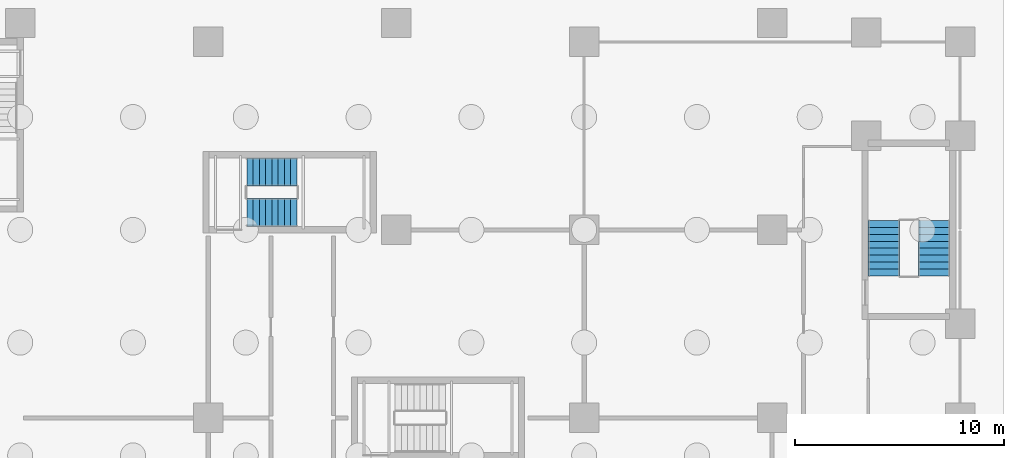
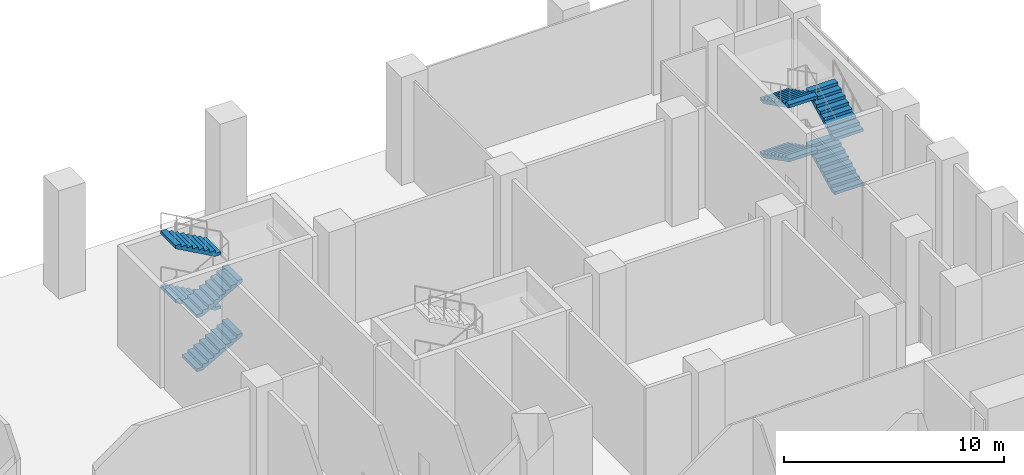
# One storey, part 9 of 12: 8 stair flights, 2 elements without a shape of their own.
"""IFC4 building model written with IfcOpenShell, lengths in metres."""

import ifcopenshell
import ifcopenshell.guid

model = None  # the IFC model being written
_history = None  # IfcOwnerHistory: only IFC2X3 demands one
_inside = {}  # id of a spatial element -> (the spatial element, [elements in it])
_under = {}  # id of a project, library or spatial element -> (it, [spatial elements below it])
_declared = {}  # id of a project -> (the project, [libraries it declares])
_typed = {}  # id of a type object -> (the type object, [elements of that type])
_made_of = {}  # id of a material, layer set ... -> (it, [elements and type objects made of it])


def new_model(schema):
    """Start an empty IFC model of exactly this schema.

    Asked for "IFC4X3", IfcOpenShell would pick the latest addendum, in which some entities
    have other attributes; the version numbers below select the first issue.
    IFC2X3 requires an IfcOwnerHistory on every rooted entity: one is made here for all.
    """
    global model, _history
    if schema == "IFC4X3":
        model = ifcopenshell.file(schema_version=(4, 3, 0, 0))
    else:
        model = ifcopenshell.file(schema=schema)
    _inside.clear()
    _under.clear()
    _declared.clear()
    _typed.clear()
    _made_of.clear()
    _history = None
    if model.schema == "IFC2X3":
        org = make("IfcOrganization", Name="unknown")
        user = make(
            "IfcPersonAndOrganization",
            ThePerson=make("IfcPerson", FamilyName="unknown"),
            TheOrganization=org,
        )
        app = make(
            "IfcApplication",
            ApplicationDeveloper=org,
            Version="unknown",
            ApplicationFullName="unknown",
            ApplicationIdentifier="unknown",
        )
        _history = make(
            "IfcOwnerHistory",
            OwningUser=user,
            OwningApplication=app,
            ChangeAction="ADDED",
            CreationDate=0,
        )
    return model


def make(cls, **values):
    """One entity of the class cls with the attributes given. An attribute that is None is left unset."""
    return model.create_entity(
        cls, **{name: value for name, value in values.items() if value is not None}
    )


def rooted(cls, **values):
    """An entity with a GlobalId (a new one), such as an element, a storey or a relation."""
    return make(cls, GlobalId=ifcopenshell.guid.new(), OwnerHistory=_history, **values)


def si_unit(unit_type, name, prefix=None):
    """IfcSIUnit, for example si_unit("LENGTHUNIT", "METRE", prefix="MILLI")."""
    return make("IfcSIUnit", UnitType=unit_type, Prefix=prefix, Name=name)


def assignment(units):
    """IfcUnitAssignment: the units of a project."""
    return None if units is None else make("IfcUnitAssignment", Units=units)


def point(xyz):
    """IfcCartesianPoint."""
    return None if xyz is None else make("IfcCartesianPoint", Coordinates=xyz)


def direction(xyz):
    """IfcDirection."""
    return None if xyz is None else make("IfcDirection", DirectionRatios=xyz)


def frame(location, z_axis=None, x_axis=None):
    """IfcAxis2Placement3D, a coordinate frame: its origin and axes. An axis left out is left unset."""
    return make(
        "IfcAxis2Placement3D",
        Location=point(location),
        Axis=direction(z_axis),
        RefDirection=direction(x_axis),
    )


def origin():
    """The frame at (0, 0, 0) with its axes left unset."""
    return frame((0.0, 0.0, 0.0))


def place(relative_to, where):
    """IfcLocalPlacement: puts the frame where relative to a parent placement (None: the world)."""
    return make(
        "IfcLocalPlacement", PlacementRelTo=relative_to, RelativePlacement=where
    )


def context(
    kind, dimensions, precision=None, world=None, true_north=None, identifier=None
):
    """IfcGeometricRepresentationContext, for example the 3D "Model" context."""
    return make(
        "IfcGeometricRepresentationContext",
        ContextIdentifier=identifier,
        ContextType=kind,
        CoordinateSpaceDimension=dimensions,
        Precision=precision,
        WorldCoordinateSystem=world,
        TrueNorth=true_north,
    )


def subcontext(parent, identifier, kind, view, scale=None):
    """IfcGeometricRepresentationSubContext, for example "Body" below "Model"."""
    return make(
        "IfcGeometricRepresentationSubContext",
        ContextIdentifier=identifier,
        ContextType=kind,
        ParentContext=parent,
        TargetScale=scale,
        TargetView=view,
    )


def project(units=None, contexts=None):
    """IfcProject with its units and contexts."""
    return rooted(
        "IfcProject",
        Name="project",
        RepresentationContexts=contexts,
        UnitsInContext=assignment(units),
    )


def spatial(cls, under=None, at=None, **own):
    """A site, building, storey or space (cls), placed at a placement, below another one or the project."""
    s = rooted(cls, ObjectPlacement=at, **own)
    if under is not None:
        _under.setdefault(under.id(), (under, []))[1].append(s)
    return s


def polyline(points):
    """IfcPolyline through the points."""
    return make("IfcPolyline", Points=[point(p) for p in points])


def outline(outer, holes=None, kind="AREA"):
    """IfcArbitraryClosedProfileDef: a profile drawn as a closed curve; with holes, ...WithVoids."""
    if holes is None:
        return make("IfcArbitraryClosedProfileDef", ProfileType=kind, OuterCurve=outer)
    return make(
        "IfcArbitraryProfileDefWithVoids",
        ProfileType=kind,
        OuterCurve=outer,
        InnerCurves=holes,
    )


def extrude(swept, where, along, depth):
    """IfcExtrudedAreaSolid: the profile swept, set in the frame where, extruded along a direction by depth."""
    return make(
        "IfcExtrudedAreaSolid",
        SweptArea=swept,
        Position=where,
        ExtrudedDirection=direction(along),
        Depth=depth,
    )


def shape(context_of_items, identifier, shape_type, items):
    """IfcShapeRepresentation: the items that make up one representation, for example the "Body"."""
    return make(
        "IfcShapeRepresentation",
        ContextOfItems=context_of_items,
        RepresentationIdentifier=identifier,
        RepresentationType=shape_type,
        Items=items,
    )


def material(Name=None, Category=None):
    """IfcMaterial."""
    return make("IfcMaterial", Name=Name, Category=Category)


def made_of(thing, what):
    """Note that an element or type object is made of a material, layer set ...; save() writes the relation."""
    if what is not None:
        _made_of.setdefault(what.id(), (what, []))[1].append(thing)
    return thing


def type_object(cls, material=None, **own):
    """A type object (cls), such as IfcWallType, which elements share."""
    return made_of(rooted(cls, **own), material)


def element(
    cls,
    number,
    at=None,
    inside=None,
    cuts=None,
    type_object=None,
    material=None,
    context=None,
    identifier="Body",
    shape_type=None,
    held_by="IfcProductDefinitionShape",
    body=None,
    shapes=None,
    **own,
):
    """One element of the class cls, such as IfcWall. Its Tag is "e" and its number.

    at: its placement. inside: the storey or other place that contains it. cuts: it is an
    opening in that element (IfcRelVoidsElement). A single representation is given by context,
    identifier, shape_type and body (its items); several are given by shapes. held_by: the class
    of the entity that holds the representations. save() writes the other relations.
    """
    e = rooted(cls, Tag="e%d" % number, ObjectPlacement=at, **own)
    if body is not None:
        shapes = [shape(context, identifier, shape_type, body)]
    if shapes is not None:
        e.Representation = make(held_by, Representations=shapes)
    if inside is not None:
        _inside.setdefault(inside.id(), (inside, []))[1].append(e)
    if cuts is not None:
        rooted(
            "IfcRelVoidsElement", RelatingBuildingElement=cuts, RelatedOpeningElement=e
        )
    if type_object is not None:
        _typed.setdefault(type_object.id(), (type_object, []))[1].append(e)
    return made_of(e, material)


def aggregate(whole, parts):
    """IfcRelAggregates: a whole, such as a stair, and the parts it consists of."""
    return rooted("IfcRelAggregates", RelatingObject=whole, RelatedObjects=parts)


def save(model, path):
    """Write the relations noted so far, then the file.

    IfcRelAggregates (storeys below a building ...), IfcRelContainedInSpatialStructure (elements
    in a storey), IfcRelDefinesByType, IfcRelAssociatesMaterial and IfcRelDeclares: one each for
    every whole, place, type object, material and project.
    """
    for whole, parts in _under.values():
        aggregate(whole, parts)
    for where, things in _inside.values():
        rooted(
            "IfcRelContainedInSpatialStructure",
            RelatedElements=things,
            RelatingStructure=where,
        )
    for kind, things in _typed.values():
        rooted("IfcRelDefinesByType", RelatedObjects=things, RelatingType=kind)
    for what, things in _made_of.values():
        rooted("IfcRelAssociatesMaterial", RelatedObjects=things, RelatingMaterial=what)
    for by, libraries in _declared.values():
        rooted("IfcRelDeclares", RelatingContext=by, RelatedDefinitions=libraries)
    model.write(path)


model = new_model("IFC4")

# Units and contexts
model_context = context("Model", 3, precision=1e-05, world=origin(), true_north=direction((0.0, 1.0)))
body_context = subcontext(model_context, "Body", "Model", "MODEL_VIEW")
ifc_project = project(units=[si_unit("LENGTHUNIT", "METRE"), si_unit("AREAUNIT", "SQUARE_METRE"), si_unit("VOLUMEUNIT", "CUBIC_METRE"), si_unit("PLANEANGLEUNIT", "RADIAN"), si_unit("MASSUNIT", "GRAM", prefix="KILO")], contexts=[model_context])

# Site, building, storey
site_placement = place(None, origin())
site = spatial("IfcSite", under=ifc_project, at=site_placement, CompositionType="ELEMENT")
building_placement = place(site_placement, origin())
building = spatial("IfcBuilding", under=site, at=building_placement, Name="Brondeck Convention Tower", CompositionType="ELEMENT")
storey_placement = place(building_placement, frame((0.0, 0.0, -6.0)))
storey = spatial("IfcBuildingStorey", under=building, at=storey_placement, Name="B1", CompositionType="ELEMENT", Elevation=-6.0)

# Stair, stair flights
ifc_material = material(Name="Precast concrete C50/60", Category="concrete")
stair_type_1 = type_object("IfcStairType", Name="Core stair 36 risers 166.67 mm riser 300 mm going 1350 wide", PredefinedType="HALF_TURN_STAIR", material=ifc_material)
stair_1_placement = place(storey_placement, origin())
stair_1 = element("IfcStair", 1, at=stair_1_placement, inside=storey, type_object=stair_type_1, Name="ST-AE B1 stair", PredefinedType="HALF_TURN_STAIR")
stair_flight_type_1 = type_object("IfcStairFlightType", Name="Core stair flight 36 risers 166.67 mm riser 300 mm going 1350 wide", PredefinedType="STRAIGHT", material=ifc_material)
stair_flight_1_placement = place(storey_placement, frame((37.85009765625, 54.824951171875, 0.0), z_axis=(0.0, 0.0, 1.0), x_axis=(1.0, 0.0, 0.0)))
stair_flight_1 = element("IfcStairFlight", 2, at=stair_flight_1_placement, type_object=stair_flight_type_1, Name="ST-AE flight 1", NumberOfRisers=9, NumberOfTreads=8, PredefinedType="STRAIGHT", RiserHeight=0.166666667, TreadLength=0.3, context=body_context, shape_type="SweptSolid", body=[
    extrude(outline(polyline([(0.0, 0.0), (0.0, 0.166748046875), (0.300048828125, 0.166748046875), (0.300048828125, 0.333251953125), (0.60009765625, 0.333251953125), (0.60009765625, 0.5), (0.89990234375, 0.5), (0.89990234375, 0.666748046875), (1.199951171875, 0.666748046875), (1.199951171875, 0.833251953125), (1.5, 0.833251953125), (1.5, 1.0), (1.800048828125, 1.0), (1.800048828125, 1.166748046875), (2.10009765625, 1.166748046875), (2.10009765625, 1.333251953125), (2.39990234375, 1.333251953125), (2.39990234375, 1.5), (2.39990234375, 1.161865234375), (0.30859375, 0.0), (0.0, 0.0)])), frame((0.0, 0.675048828125, 0.0), z_axis=(0.0, -1.0, 0.0), x_axis=(1.0, 0.0, 0.0)), (0.0, 0.0, 1.0), 1.35009765625),
])
stair_flight_2_placement = place(storey_placement, frame((40.25, 56.77490234375, 1.5), z_axis=(0.0, 0.0, 1.0), x_axis=(-1.0, 0.0, 0.0)))
stair_flight_2 = element("IfcStairFlight", 3, at=stair_flight_2_placement, type_object=stair_flight_type_1, Name="ST-AE flight 2", NumberOfRisers=9, NumberOfTreads=8, PredefinedType="STRAIGHT", RiserHeight=0.166666667, TreadLength=0.3, context=body_context, shape_type="SweptSolid", body=[
    extrude(outline(polyline([(0.0, 0.0), (0.0, 0.166748046875), (0.300048828125, 0.166748046875), (0.300048828125, 0.333251953125), (0.60009765625, 0.333251953125), (0.60009765625, 0.5), (0.89990234375, 0.5), (0.89990234375, 0.666748046875), (1.199951171875, 0.666748046875), (1.199951171875, 0.833251953125), (1.5, 0.833251953125), (1.5, 1.0), (1.800048828125, 1.0), (1.800048828125, 1.166748046875), (2.10009765625, 1.166748046875), (2.10009765625, 1.333251953125), (2.39990234375, 1.333251953125), (2.39990234375, 1.5), (2.39990234375, 1.161865234375), (0.30859375, 0.0), (0.0, 0.0)])), frame((0.0, 0.675048828125, 0.0), z_axis=(0.0, -1.0, 0.0), x_axis=(1.0, 0.0, 0.0)), (0.0, 0.0, 1.0), 1.35009765625),
])
stair_flight_3_placement = place(storey_placement, frame((37.85009765625, 54.824951171875, 3.0), z_axis=(0.0, 0.0, 1.0), x_axis=(1.0, 0.0, 0.0)))
stair_flight_3 = element("IfcStairFlight", 4, at=stair_flight_3_placement, type_object=stair_flight_type_1, Name="ST-AE flight 3", NumberOfRisers=9, NumberOfTreads=8, PredefinedType="STRAIGHT", RiserHeight=0.166666667, TreadLength=0.3, context=body_context, shape_type="SweptSolid", body=[
    extrude(outline(polyline([(0.0, 0.0), (0.0, 0.166748046875), (0.300048828125, 0.166748046875), (0.300048828125, 0.333251953125), (0.60009765625, 0.333251953125), (0.60009765625, 0.5), (0.89990234375, 0.5), (0.89990234375, 0.666748046875), (1.199951171875, 0.666748046875), (1.199951171875, 0.833251953125), (1.5, 0.833251953125), (1.5, 1.0), (1.800048828125, 1.0), (1.800048828125, 1.166748046875), (2.10009765625, 1.166748046875), (2.10009765625, 1.333251953125), (2.39990234375, 1.333251953125), (2.39990234375, 1.5), (2.39990234375, 1.161865234375), (0.30859375, 0.0), (0.0, 0.0)])), frame((0.0, 0.675048828125, 0.0), z_axis=(0.0, -1.0, 0.0), x_axis=(1.0, 0.0, 0.0)), (0.0, 0.0, 1.0), 1.35009765625),
])
stair_flight_4_placement = place(storey_placement, frame((40.25, 56.77490234375, 4.5), z_axis=(0.0, 0.0, 1.0), x_axis=(-1.0, 0.0, 0.0)))
stair_flight_4 = element("IfcStairFlight", 5, at=stair_flight_4_placement, type_object=stair_flight_type_1, Name="ST-AE flight 4", NumberOfRisers=9, NumberOfTreads=8, PredefinedType="STRAIGHT", RiserHeight=0.166666667, TreadLength=0.3, context=body_context, shape_type="SweptSolid", body=[
    extrude(outline(polyline([(0.0, 0.0), (0.0, 0.166748046875), (0.300048828125, 0.166748046875), (0.300048828125, 0.333251953125), (0.60009765625, 0.333251953125), (0.60009765625, 0.5), (0.89990234375, 0.5), (0.89990234375, 0.666748046875), (1.199951171875, 0.666748046875), (1.199951171875, 0.833251953125), (1.5, 0.833251953125), (1.5, 1.0), (1.800048828125, 1.0), (1.800048828125, 1.166748046875), (2.10009765625, 1.166748046875), (2.10009765625, 1.333251953125), (2.39990234375, 1.333251953125), (2.39990234375, 1.5), (2.39990234375, 1.161865234375), (0.30859375, 0.0), (0.0, 0.0)])), frame((0.0, 0.675048828125, 0.0), z_axis=(0.0, -1.0, 0.0), x_axis=(1.0, 0.0, 0.0)), (0.0, 0.0, 1.0), 1.35009765625),
])
aggregate(stair_1, [stair_flight_1, stair_flight_2, stair_flight_3, stair_flight_4])

stair_type_2 = type_object("IfcStairType", Name="Core stair 36 risers 166.67 mm riser 330 mm going 1500 wide", PredefinedType="HALF_TURN_STAIR", material=ifc_material)
stair_2_placement = place(storey_placement, origin())
stair_2 = element("IfcStair", 6, at=stair_2_placement, inside=storey, type_object=stair_type_2, Name="PS-1 B1 stair", PredefinedType="HALF_TURN_STAIR")
stair_flight_type_2 = type_object("IfcStairFlightType", Name="Core stair flight 36 risers 166.67 mm riser 330 mm going 1500 wide", PredefinedType="STRAIGHT", material=ifc_material)
stair_flight_5_placement = place(storey_placement, frame((70.75, 51.800048828125, 0.0), z_axis=(0.0, 0.0, 1.0), x_axis=(0.0, 1.0, 0.0)))
stair_flight_5 = element("IfcStairFlight", 7, at=stair_flight_5_placement, type_object=stair_flight_type_2, Name="PS-1 flight 1", NumberOfRisers=9, NumberOfTreads=8, PredefinedType="STRAIGHT", RiserHeight=0.166666667, TreadLength=0.33, context=body_context, shape_type="SweptSolid", body=[
    extrude(outline(polyline([(0.0, 0.0), (0.0, 0.166748046875), (0.330078125, 0.166748046875), (0.330078125, 0.333251953125), (0.659912109375, 0.333251953125), (0.659912109375, 0.5), (0.989990234375, 0.5), (0.989990234375, 0.666748046875), (1.320068359375, 0.666748046875), (1.320068359375, 0.833251953125), (1.64990234375, 0.833251953125), (1.64990234375, 1.0), (1.97998046875, 1.0), (1.97998046875, 1.166748046875), (2.31005859375, 1.166748046875), (2.31005859375, 1.333251953125), (2.639892578125, 1.333251953125), (2.639892578125, 1.5), (2.639892578125, 1.165283203125), (0.33251953125, 0.0), (0.0, 0.0)])), frame((0.0, 0.75, 0.0), z_axis=(0.0, -1.0, 0.0), x_axis=(1.0, 0.0, 0.0)), (0.0, 0.0, 1.0), 1.5),
])
stair_flight_6_placement = place(storey_placement, frame((68.35009765625, 54.43994140625, 1.5), z_axis=(0.0, 0.0, 1.0), x_axis=(0.0, -1.0, 0.0)))
stair_flight_6 = element("IfcStairFlight", 8, at=stair_flight_6_placement, type_object=stair_flight_type_2, Name="PS-1 flight 2", NumberOfRisers=9, NumberOfTreads=8, PredefinedType="STRAIGHT", RiserHeight=0.166666667, TreadLength=0.33, context=body_context, shape_type="SweptSolid", body=[
    extrude(outline(polyline([(0.0, 0.0), (0.0, 0.166748046875), (0.330078125, 0.166748046875), (0.330078125, 0.333251953125), (0.659912109375, 0.333251953125), (0.659912109375, 0.5), (0.989990234375, 0.5), (0.989990234375, 0.666748046875), (1.320068359375, 0.666748046875), (1.320068359375, 0.833251953125), (1.64990234375, 0.833251953125), (1.64990234375, 1.0), (1.97998046875, 1.0), (1.97998046875, 1.166748046875), (2.31005859375, 1.166748046875), (2.31005859375, 1.333251953125), (2.639892578125, 1.333251953125), (2.639892578125, 1.5), (2.639892578125, 1.165283203125), (0.33251953125, 0.0), (0.0, 0.0)])), frame((0.0, 0.75, 0.0), z_axis=(0.0, -1.0, 0.0), x_axis=(1.0, 0.0, 0.0)), (0.0, 0.0, 1.0), 1.5),
])
stair_flight_7_placement = place(storey_placement, frame((70.75, 51.800048828125, 3.0), z_axis=(0.0, 0.0, 1.0), x_axis=(0.0, 1.0, 0.0)))
stair_flight_7 = element("IfcStairFlight", 9, at=stair_flight_7_placement, type_object=stair_flight_type_2, Name="PS-1 flight 3", NumberOfRisers=9, NumberOfTreads=8, PredefinedType="STRAIGHT", RiserHeight=0.166666667, TreadLength=0.33, context=body_context, shape_type="SweptSolid", body=[
    extrude(outline(polyline([(0.0, 0.0), (0.0, 0.166748046875), (0.330078125, 0.166748046875), (0.330078125, 0.333251953125), (0.659912109375, 0.333251953125), (0.659912109375, 0.5), (0.989990234375, 0.5), (0.989990234375, 0.666748046875), (1.320068359375, 0.666748046875), (1.320068359375, 0.833251953125), (1.64990234375, 0.833251953125), (1.64990234375, 1.0), (1.97998046875, 1.0), (1.97998046875, 1.166748046875), (2.31005859375, 1.166748046875), (2.31005859375, 1.333251953125), (2.639892578125, 1.333251953125), (2.639892578125, 1.5), (2.639892578125, 1.165283203125), (0.33251953125, 0.0), (0.0, 0.0)])), frame((0.0, 0.75, 0.0), z_axis=(0.0, -1.0, 0.0), x_axis=(1.0, 0.0, 0.0)), (0.0, 0.0, 1.0), 1.5),
])
stair_flight_8_placement = place(storey_placement, frame((68.35009765625, 54.43994140625, 4.5), z_axis=(0.0, 0.0, 1.0), x_axis=(0.0, -1.0, 0.0)))
stair_flight_8 = element("IfcStairFlight", 10, at=stair_flight_8_placement, type_object=stair_flight_type_2, Name="PS-1 flight 4", NumberOfRisers=9, NumberOfTreads=8, PredefinedType="STRAIGHT", RiserHeight=0.166666667, TreadLength=0.33, context=body_context, shape_type="SweptSolid", body=[
    extrude(outline(polyline([(0.0, 0.0), (0.0, 0.166748046875), (0.330078125, 0.166748046875), (0.330078125, 0.333251953125), (0.659912109375, 0.333251953125), (0.659912109375, 0.5), (0.989990234375, 0.5), (0.989990234375, 0.666748046875), (1.320068359375, 0.666748046875), (1.320068359375, 0.833251953125), (1.64990234375, 0.833251953125), (1.64990234375, 1.0), (1.97998046875, 1.0), (1.97998046875, 1.166748046875), (2.31005859375, 1.166748046875), (2.31005859375, 1.333251953125), (2.639892578125, 1.333251953125), (2.639892578125, 1.5), (2.639892578125, 1.165283203125), (0.33251953125, 0.0), (0.0, 0.0)])), frame((0.0, 0.75, 0.0), z_axis=(0.0, -1.0, 0.0), x_axis=(1.0, 0.0, 0.0)), (0.0, 0.0, 1.0), 1.5),
])
aggregate(stair_2, [stair_flight_5, stair_flight_6, stair_flight_7, stair_flight_8])

save(model, "model.ifc")
